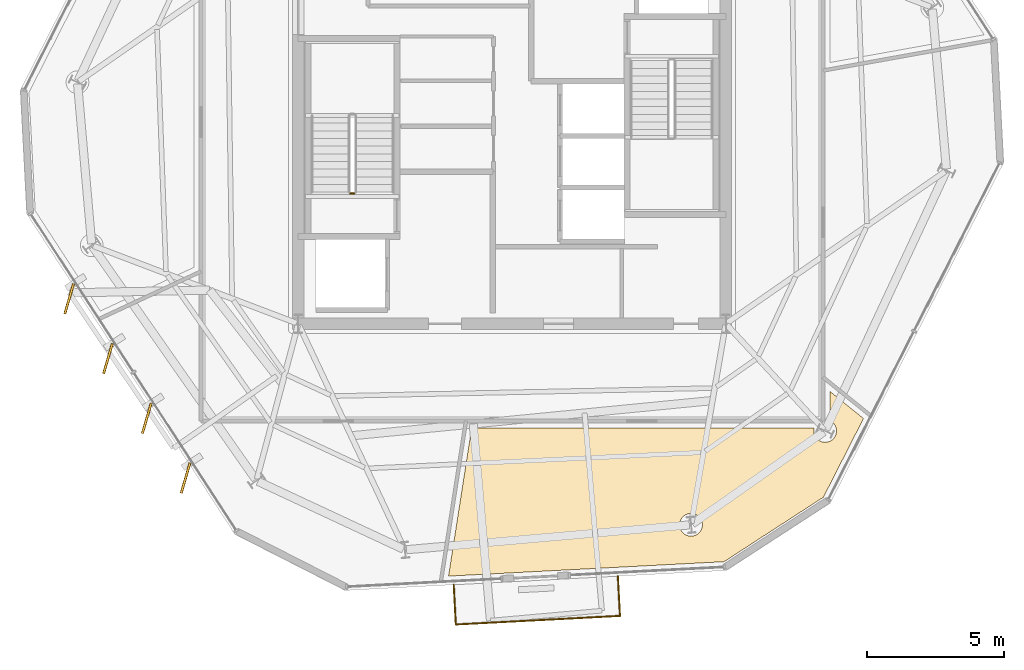
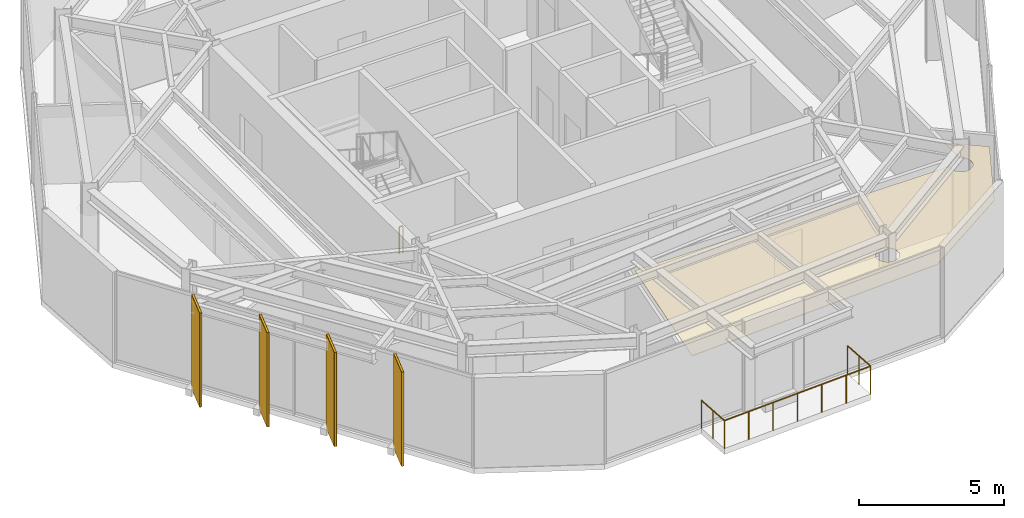
# One storey, part 8 of 11: 5 coverings, 4 shading devices, 2 railings.
"""IFC4 building model written with IfcOpenShell, lengths in metres."""

import ifcopenshell
import ifcopenshell.guid

model = None  # the IFC model being written
_history = None  # IfcOwnerHistory: only IFC2X3 demands one
_inside = {}  # id of a spatial element -> (the spatial element, [elements in it])
_under = {}  # id of a project, library or spatial element -> (it, [spatial elements below it])
_declared = {}  # id of a project -> (the project, [libraries it declares])
_typed = {}  # id of a type object -> (the type object, [elements of that type])
_made_of = {}  # id of a material, layer set ... -> (it, [elements and type objects made of it])


def new_model(schema):
    """Start an empty IFC model of exactly this schema.

    Asked for "IFC4X3", IfcOpenShell would pick the latest addendum, in which some entities
    have other attributes; the version numbers below select the first issue.
    IFC2X3 requires an IfcOwnerHistory on every rooted entity: one is made here for all.
    """
    global model, _history
    if schema == "IFC4X3":
        model = ifcopenshell.file(schema_version=(4, 3, 0, 0))
    else:
        model = ifcopenshell.file(schema=schema)
    _inside.clear()
    _under.clear()
    _declared.clear()
    _typed.clear()
    _made_of.clear()
    _history = None
    if model.schema == "IFC2X3":
        org = make("IfcOrganization", Name="unknown")
        user = make(
            "IfcPersonAndOrganization",
            ThePerson=make("IfcPerson", FamilyName="unknown"),
            TheOrganization=org,
        )
        app = make(
            "IfcApplication",
            ApplicationDeveloper=org,
            Version="unknown",
            ApplicationFullName="unknown",
            ApplicationIdentifier="unknown",
        )
        _history = make(
            "IfcOwnerHistory",
            OwningUser=user,
            OwningApplication=app,
            ChangeAction="ADDED",
            CreationDate=0,
        )
    return model


def make(cls, **values):
    """One entity of the class cls with the attributes given. An attribute that is None is left unset."""
    return model.create_entity(
        cls, **{name: value for name, value in values.items() if value is not None}
    )


def rooted(cls, **values):
    """An entity with a GlobalId (a new one), such as an element, a storey or a relation."""
    return make(cls, GlobalId=ifcopenshell.guid.new(), OwnerHistory=_history, **values)


def si_unit(unit_type, name, prefix=None):
    """IfcSIUnit, for example si_unit("LENGTHUNIT", "METRE", prefix="MILLI")."""
    return make("IfcSIUnit", UnitType=unit_type, Prefix=prefix, Name=name)


def assignment(units):
    """IfcUnitAssignment: the units of a project."""
    return None if units is None else make("IfcUnitAssignment", Units=units)


def point(xyz):
    """IfcCartesianPoint."""
    return None if xyz is None else make("IfcCartesianPoint", Coordinates=xyz)


def direction(xyz):
    """IfcDirection."""
    return None if xyz is None else make("IfcDirection", DirectionRatios=xyz)


def frame(location, z_axis=None, x_axis=None):
    """IfcAxis2Placement3D, a coordinate frame: its origin and axes. An axis left out is left unset."""
    return make(
        "IfcAxis2Placement3D",
        Location=point(location),
        Axis=direction(z_axis),
        RefDirection=direction(x_axis),
    )


def frame_2d(location, x_axis=None):
    """IfcAxis2Placement2D, a coordinate frame in the plane: its origin and x axis."""
    return make(
        "IfcAxis2Placement2D", Location=point(location), RefDirection=direction(x_axis)
    )


def origin():
    """The frame at (0, 0, 0) with its axes left unset."""
    return frame((0.0, 0.0, 0.0))


def origin_2d():
    """The frame at (0, 0) in the plane with its x axis left unset."""
    return frame_2d((0.0, 0.0))


def place(relative_to, where):
    """IfcLocalPlacement: puts the frame where relative to a parent placement (None: the world)."""
    return make(
        "IfcLocalPlacement", PlacementRelTo=relative_to, RelativePlacement=where
    )


def context(
    kind, dimensions, precision=None, world=None, true_north=None, identifier=None
):
    """IfcGeometricRepresentationContext, for example the 3D "Model" context."""
    return make(
        "IfcGeometricRepresentationContext",
        ContextIdentifier=identifier,
        ContextType=kind,
        CoordinateSpaceDimension=dimensions,
        Precision=precision,
        WorldCoordinateSystem=world,
        TrueNorth=true_north,
    )


def subcontext(parent, identifier, kind, view, scale=None):
    """IfcGeometricRepresentationSubContext, for example "Body" below "Model"."""
    return make(
        "IfcGeometricRepresentationSubContext",
        ContextIdentifier=identifier,
        ContextType=kind,
        ParentContext=parent,
        TargetScale=scale,
        TargetView=view,
    )


def project(units=None, contexts=None):
    """IfcProject with its units and contexts."""
    return rooted(
        "IfcProject",
        Name="project",
        RepresentationContexts=contexts,
        UnitsInContext=assignment(units),
    )


def spatial(cls, under=None, at=None, **own):
    """A site, building, storey or space (cls), placed at a placement, below another one or the project."""
    s = rooted(cls, ObjectPlacement=at, **own)
    if under is not None:
        _under.setdefault(under.id(), (under, []))[1].append(s)
    return s


def polyline(points):
    """IfcPolyline through the points."""
    return make("IfcPolyline", Points=[point(p) for p in points])


def profile(cls, at=None, kind="AREA", **sizes):
    """A parametric profile (cls). Its sizes go by their IFC names, for example OverallWidth=200.0."""
    return make(cls, ProfileType=kind, Position=at, **sizes)


def rectangle(**sizes):
    """IfcRectangleProfileDef."""
    return profile("IfcRectangleProfileDef", **sizes)


def circle(**sizes):
    """IfcCircleProfileDef."""
    return profile("IfcCircleProfileDef", **sizes)


def outline(outer, holes=None, kind="AREA"):
    """IfcArbitraryClosedProfileDef: a profile drawn as a closed curve; with holes, ...WithVoids."""
    if holes is None:
        return make("IfcArbitraryClosedProfileDef", ProfileType=kind, OuterCurve=outer)
    return make(
        "IfcArbitraryProfileDefWithVoids",
        ProfileType=kind,
        OuterCurve=outer,
        InnerCurves=holes,
    )


def extrude(swept, where, along, depth):
    """IfcExtrudedAreaSolid: the profile swept, set in the frame where, extruded along a direction by depth."""
    return make(
        "IfcExtrudedAreaSolid",
        SweptArea=swept,
        Position=where,
        ExtrudedDirection=direction(along),
        Depth=depth,
    )


def shape(context_of_items, identifier, shape_type, items):
    """IfcShapeRepresentation: the items that make up one representation, for example the "Body"."""
    return make(
        "IfcShapeRepresentation",
        ContextOfItems=context_of_items,
        RepresentationIdentifier=identifier,
        RepresentationType=shape_type,
        Items=items,
    )


def material(Name=None, Category=None):
    """IfcMaterial."""
    return make("IfcMaterial", Name=Name, Category=Category)


def layer(
    of_material, thickness, ventilated=None, Name=None, Category=None, Priority=None
):
    """IfcMaterialLayer: one layer of a wall or slab, of a material (None: an air gap)."""
    return make(
        "IfcMaterialLayer",
        Material=of_material,
        LayerThickness=thickness,
        IsVentilated=ventilated,
        Name=Name,
        Category=Category,
        Priority=Priority,
    )


def layer_set(layers, Name=None):
    """IfcMaterialLayerSet."""
    return make("IfcMaterialLayerSet", MaterialLayers=layers, LayerSetName=Name)


def made_of(thing, what):
    """Note that an element or type object is made of a material, layer set ...; save() writes the relation."""
    if what is not None:
        _made_of.setdefault(what.id(), (what, []))[1].append(thing)
    return thing


def type_object(cls, material=None, **own):
    """A type object (cls), such as IfcWallType, which elements share."""
    return made_of(rooted(cls, **own), material)


def element(
    cls,
    number,
    at=None,
    inside=None,
    cuts=None,
    type_object=None,
    material=None,
    context=None,
    identifier="Body",
    shape_type=None,
    held_by="IfcProductDefinitionShape",
    body=None,
    shapes=None,
    **own,
):
    """One element of the class cls, such as IfcWall. Its Tag is "e" and its number.

    at: its placement. inside: the storey or other place that contains it. cuts: it is an
    opening in that element (IfcRelVoidsElement). A single representation is given by context,
    identifier, shape_type and body (its items); several are given by shapes. held_by: the class
    of the entity that holds the representations. save() writes the other relations.
    """
    e = rooted(cls, Tag="e%d" % number, ObjectPlacement=at, **own)
    if body is not None:
        shapes = [shape(context, identifier, shape_type, body)]
    if shapes is not None:
        e.Representation = make(held_by, Representations=shapes)
    if inside is not None:
        _inside.setdefault(inside.id(), (inside, []))[1].append(e)
    if cuts is not None:
        rooted(
            "IfcRelVoidsElement", RelatingBuildingElement=cuts, RelatedOpeningElement=e
        )
    if type_object is not None:
        _typed.setdefault(type_object.id(), (type_object, []))[1].append(e)
    return made_of(e, material)


def aggregate(whole, parts):
    """IfcRelAggregates: a whole, such as a stair, and the parts it consists of."""
    return rooted("IfcRelAggregates", RelatingObject=whole, RelatedObjects=parts)


def save(model, path):
    """Write the relations noted so far, then the file.

    IfcRelAggregates (storeys below a building ...), IfcRelContainedInSpatialStructure (elements
    in a storey), IfcRelDefinesByType, IfcRelAssociatesMaterial and IfcRelDeclares: one each for
    every whole, place, type object, material and project.
    """
    for whole, parts in _under.values():
        aggregate(whole, parts)
    for where, things in _inside.values():
        rooted(
            "IfcRelContainedInSpatialStructure",
            RelatedElements=things,
            RelatingStructure=where,
        )
    for kind, things in _typed.values():
        rooted("IfcRelDefinesByType", RelatedObjects=things, RelatingType=kind)
    for what, things in _made_of.values():
        rooted("IfcRelAssociatesMaterial", RelatedObjects=things, RelatingMaterial=what)
    for by, libraries in _declared.values():
        rooted("IfcRelDeclares", RelatingContext=by, RelatedDefinitions=libraries)
    model.write(path)


model = new_model("IFC4")

# Units and contexts
model_context = context("Model", 3, precision=1e-05, world=origin(), true_north=direction((0.0, 1.0)))
body_context = subcontext(model_context, "Body", "Model", "MODEL_VIEW")
ifc_project = project(units=[si_unit("LENGTHUNIT", "METRE"), si_unit("AREAUNIT", "SQUARE_METRE"), si_unit("VOLUMEUNIT", "CUBIC_METRE"), si_unit("PLANEANGLEUNIT", "RADIAN"), si_unit("MASSUNIT", "GRAM", prefix="KILO")], contexts=[model_context])

# Site, building, storey
site_placement = place(None, origin())
site = spatial("IfcSite", under=ifc_project, at=site_placement, CompositionType="ELEMENT")
building_placement = place(site_placement, origin())
building = spatial("IfcBuilding", under=site, at=building_placement, Name="Kranzbogen Civic Tower", CompositionType="ELEMENT")
storey_placement = place(building_placement, frame((0.0, 0.0, 278.199951171875)))
storey = spatial("IfcBuildingStorey", under=building, at=storey_placement, Name="L67", CompositionType="ELEMENT", Elevation=278.199951171875)

# Coverings
ifc_material_1 = material(Name="Pale Anodised Aluminium", Category="aluminium")
ifc_layer_1 = layer(ifc_material_1, 0.02490234375, Name="Pale Anodised Aluminium")
ifc_layer_set_1 = layer_set([ifc_layer_1], Name="Pale Anodised Aluminium")
covering_type_1 = type_object("IfcCoveringType", Name="Anodised Aluminium Vertical Fin Cladding 25 mm", PredefinedType="CLADDING", material=ifc_layer_set_1)
for number, where, z_axis, x_axis, name in (
    (1, (8.842041015625, 18.708984375, -0.139892578125), (0.0, 0.0, 1.0), (-0.279544149192, -0.960132839066, 0.0), "L67 vertical fin pale-metal cladding F3-1"),
    (2, (10.258056640625, 16.529052734375, -0.139892578125), (0.0, 0.0, 1.0), (-0.279544149192, -0.960132839066, 0.0), "L67 vertical fin pale-metal cladding F3-2"),
    (3, (11.674072265625, 14.347900390625, -0.139892578125), (0.0, 0.0, 1.0), (-0.279544149192, -0.960132839066, 0.0), "L67 vertical fin pale-metal cladding F3-3"),
    (4, (13.090087890625, 12.16796875, -0.139892578125), (0.0, 0.0, 1.0), (-0.279544149192, -0.960132839066, 0.0), "L67 vertical fin pale-metal cladding F3-4"),
):
    element("IfcCovering", number, at=place(storey_placement, frame(where, z_axis=z_axis, x_axis=x_axis)), inside=storey, type_object=covering_type_1, Name=name, PredefinedType="CLADDING", context=body_context, shape_type="SweptSolid", body=[
        extrude(rectangle(XDim=1.14990234375, YDim=0.094970703125, at=origin_2d()), origin(), (0.0, 0.0, 1.0), 3.9599609375),
    ])

# Railings
ifc_material_2 = material(Name="Anodised Bronze Aluminium", Category="aluminium")
railing_type_1 = type_object("IfcRailingType", Name="Cantilevered Balcony Glass and Bronze Balustrade 1200", PredefinedType="BALUSTRADE", material=ifc_material_2)
railing_1_placement = place(storey_placement, frame((22.8720703125, 8.27392578125, 0.0)))
element("IfcRailing", 5, at=railing_1_placement, inside=storey, type_object=railing_type_1, Name="L67 exterior terrace balustrade L67-TB2", PredefinedType="BALUSTRADE", context=body_context, shape_type="SweptSolid", body=[
    extrude(circle(Radius=0.02392578125, at=origin_2d()), frame((0.0, 0.0, 1.17578125), z_axis=(0.05236441096, -0.9986280431, 0.0), x_axis=(0.9986280431, 0.05236441096, 0.0)), (0.0, 0.0, 1.0), 1.449951171875),
    extrude(circle(Radius=0.02392578125, at=origin_2d()), frame((0.075927734375, -1.447998046875, 1.17578125), z_axis=(0.998630053861, 0.052326050168, 0.0), x_axis=(-0.052326050168, 0.998630053861, 0.0)), (0.0, 0.0, 1.0), 6.000244140625),
    extrude(circle(Radius=0.02392578125, at=origin_2d()), frame((6.06787109375, -1.134033203125, 1.17578125), z_axis=(-0.05236441096, 0.9986280431, 0.0), x_axis=(-0.9986280431, -0.05236441096, 0.0)), (0.0, 0.0, 1.0), 1.449951171875),
    extrude(circle(Radius=0.02099609375, at=origin_2d()), origin(), (0.0, 0.0, 1.0), 1.15185546875),
    extrude(circle(Radius=0.02099609375, at=origin_2d()), frame((0.0380859375, -0.72412109375, 0.0)), (0.0, 0.0, 1.0), 1.15185546875),
    extrude(circle(Radius=0.02099609375, at=origin_2d()), frame((0.075927734375, -1.447998046875, 0.0)), (0.0, 0.0, 1.0), 1.15185546875),
    extrude(circle(Radius=0.02099609375, at=origin_2d()), frame((1.07470703125, -1.395751953125, 0.0)), (0.0, 0.0, 1.0), 1.15185546875),
    extrude(circle(Radius=0.02099609375, at=origin_2d()), frame((2.0732421875, -1.34326171875, 0.0)), (0.0, 0.0, 1.0), 1.15185546875),
    extrude(circle(Radius=0.02099609375, at=origin_2d()), frame((3.07177734375, -1.291015625, 0.0)), (0.0, 0.0, 1.0), 1.15185546875),
    extrude(circle(Radius=0.02099609375, at=origin_2d()), frame((4.070556640625, -1.23876953125, 0.0)), (0.0, 0.0, 1.0), 1.15185546875),
    extrude(circle(Radius=0.02099609375, at=origin_2d()), frame((5.0693359375, -1.186279296875, 0.0)), (0.0, 0.0, 1.0), 1.15185546875),
    extrude(circle(Radius=0.02099609375, at=origin_2d()), frame((6.06787109375, -1.134033203125, 0.0)), (0.0, 0.0, 1.0), 1.15185546875),
    extrude(circle(Radius=0.02099609375, at=origin_2d()), frame((6.02978515625, -0.41015625, 0.0)), (0.0, 0.0, 1.0), 1.15185546875),
    extrude(circle(Radius=0.02099609375, at=origin_2d()), frame((5.991943359375, 0.31396484375, 0.0)), (0.0, 0.0, 1.0), 1.15185546875),
])
ifc_material_3 = material(Name="Steel S355", Category="steel")
railing_type_2 = type_object("IfcRailingType", Name="Internal Stair and Void Steel Guardrail 1150", PredefinedType="GUARDRAIL", material=ifc_material_3)
railing_2_placement = place(storey_placement, frame((19.25, 22.550048828125, 0.0)))
element("IfcRailing", 6, at=railing_2_placement, inside=storey, type_object=railing_type_2, Name="L67 ST-T1 stair guard 4", PredefinedType="GUARDRAIL", context=body_context, shape_type="SweptSolid", body=[
    extrude(circle(Radius=0.02392578125, at=origin_2d()), frame((0.0, 0.0, 1.1259765625), z_axis=(-1.0, 0.0, 0.0), x_axis=(0.0, -1.0, 0.0)), (0.0, 0.0, 1.0), 0.14990234375),
    extrude(circle(Radius=0.02099609375, at=origin_2d()), origin(), (0.0, 0.0, 1.0), 1.101806640625),
    extrude(circle(Radius=0.02099609375, at=origin_2d()), frame((-0.14990234375, 0.0, 0.0)), (0.0, 0.0, 1.0), 1.101806640625),
])

# Shading devices
shading_device_type = type_object("IfcShadingDeviceType", Name="Pale Anodised Aluminium Crown Fin 1150x75", PredefinedType="USERDEFINED", material=ifc_material_1)
for number, where, z_axis, x_axis, name in (
    (7, (8.842041015625, 18.708984375, -0.139892578125), (0.0, 0.0, 1.0), (-0.279544149192, -0.960132839066, 0.0), "L67 vertical exterior shading fin F3-1"),
    (8, (10.258056640625, 16.529052734375, -0.139892578125), (0.0, 0.0, 1.0), (-0.279544149192, -0.960132839066, 0.0), "L67 vertical exterior shading fin F3-2"),
    (9, (11.674072265625, 14.347900390625, -0.139892578125), (0.0, 0.0, 1.0), (-0.279544149192, -0.960132839066, 0.0), "L67 vertical exterior shading fin F3-3"),
    (10, (13.090087890625, 12.16796875, -0.139892578125), (0.0, 0.0, 1.0), (-0.279544149192, -0.960132839066, 0.0), "L67 vertical exterior shading fin F3-4"),
):
    element("IfcShadingDevice", number, at=place(storey_placement, frame(where, z_axis=z_axis, x_axis=x_axis)), inside=storey, type_object=shading_device_type, Name=name, ObjectType="FIN", PredefinedType="USERDEFINED", context=body_context, shape_type="SweptSolid", body=[
        extrude(rectangle(XDim=1.14990234375, YDim=0.074951171875, at=origin_2d()), origin(), (0.0, 0.0, 1.0), 3.9599609375),
    ])

# Covering
ifc_material_4 = material(Name="Perforated Acoustic Gypsum Ceiling")
ifc_layer_2 = layer(ifc_material_4, 0.02490234375, Name="Perforated Acoustic Gypsum Ceiling")
ifc_layer_set_2 = layer_set([ifc_layer_2], Name="Perforated Acoustic Gypsum Ceiling")
covering_type_2 = type_object("IfcCoveringType", Name="Perforated Acoustic Mineral Ceiling Tile 25 mm", PredefinedType="CEILING", material=ifc_layer_set_2)
covering_placement = place(storey_placement, frame((0.0, 0.0, 2.900146484375)))
element("IfcCovering", 11, at=covering_placement, inside=storey, type_object=covering_type_2, Name="L67 Licensing Information Kiosk acoustic ceiling", PredefinedType="CEILING", context=body_context, shape_type="SweptSolid", body=[
    extrude(outline(polyline([(32.736083984375, 9.116943359375), (22.68408203125, 8.590087890625), (23.530029296875, 14.0048828125), (36.02587890625, 14.0048828125), (36.01806640625, 13.970947265625), (36.011962890625, 13.930908203125), (36.010009765625, 13.889892578125), (36.011962890625, 13.84912109375), (36.01806640625, 13.80908203125), (36.027099609375, 13.76904296875), (36.041015625, 13.73095703125), (36.05908203125, 13.694091796875), (36.080078125, 13.658935546875), (36.10400390625, 13.6259765625), (36.131103515625, 13.595947265625), (36.160888671875, 13.569091796875), (36.194091796875, 13.544921875), (36.22900390625, 13.52392578125), (36.26611328125, 13.506103515625), (36.303955078125, 13.491943359375), (36.343994140625, 13.48291015625), (36.384033203125, 13.47705078125), (36.425048828125, 13.47509765625), (36.466064453125, 13.47705078125), (36.506103515625, 13.48291015625), (36.5458984375, 13.491943359375), (36.583984375, 13.506103515625), (36.62109375, 13.52392578125), (36.656005859375, 13.544921875), (36.68896484375, 13.569091796875), (36.718994140625, 13.595947265625), (36.74609375, 13.6259765625), (36.77001953125, 13.658935546875), (36.791015625, 13.694091796875), (36.80908203125, 13.73095703125), (36.822998046875, 13.76904296875), (36.83203125, 13.80908203125), (36.837890625, 13.84912109375), (36.840087890625, 13.889892578125), (36.837890625, 13.930908203125), (36.83203125, 13.970947265625), (36.822998046875, 14.010986328125), (36.80908203125, 14.049072265625), (36.791015625, 14.0859375), (36.77001953125, 14.12109375), (36.74609375, 14.154052734375), (36.718994140625, 14.18408203125), (36.68896484375, 14.2109375), (36.656005859375, 14.235107421875), (36.62109375, 14.256103515625), (36.594970703125, 14.26904296875), (36.594970703125, 15.3359375), (37.825927734375, 14.343017578125), (36.364013671875, 11.471923828125), (32.736083984375, 9.116943359375)]), holes=[polyline([(31.9169921875, 10.304931640625), (31.89892578125, 10.26806640625), (31.8779296875, 10.23291015625), (31.85400390625, 10.199951171875), (31.826904296875, 10.169921875), (31.797119140625, 10.14306640625), (31.763916015625, 10.118896484375), (31.72900390625, 10.097900390625), (31.69189453125, 10.080078125), (31.654052734375, 10.06591796875), (31.614013671875, 10.056884765625), (31.573974609375, 10.051025390625), (31.532958984375, 10.049072265625), (31.491943359375, 10.051025390625), (31.451904296875, 10.056884765625), (31.412109375, 10.06591796875), (31.3740234375, 10.080078125), (31.3369140625, 10.097900390625), (31.302001953125, 10.118896484375), (31.26904296875, 10.14306640625), (31.239013671875, 10.169921875), (31.2119140625, 10.199951171875), (31.18798828125, 10.23291015625), (31.1669921875, 10.26806640625), (31.14892578125, 10.304931640625), (31.135009765625, 10.343017578125), (31.1259765625, 10.383056640625), (31.1201171875, 10.423095703125), (31.117919921875, 10.464111328125), (31.1201171875, 10.5048828125), (31.1259765625, 10.544921875), (31.135009765625, 10.5849609375), (31.14892578125, 10.623046875), (31.1669921875, 10.659912109375), (31.18798828125, 10.695068359375), (31.2119140625, 10.72802734375), (31.239013671875, 10.758056640625), (31.26904296875, 10.784912109375), (31.302001953125, 10.80908203125), (31.3369140625, 10.830078125), (31.3740234375, 10.847900390625), (31.412109375, 10.862060546875), (31.451904296875, 10.87109375), (31.491943359375, 10.876953125), (31.532958984375, 10.87890625), (31.573974609375, 10.876953125), (31.614013671875, 10.87109375), (31.654052734375, 10.862060546875), (31.69189453125, 10.847900390625), (31.72900390625, 10.830078125), (31.763916015625, 10.80908203125), (31.797119140625, 10.784912109375), (31.826904296875, 10.758056640625), (31.85400390625, 10.72802734375), (31.8779296875, 10.695068359375), (31.89892578125, 10.659912109375), (31.9169921875, 10.623046875), (31.930908203125, 10.5849609375), (31.93994140625, 10.544921875), (31.946044921875, 10.5048828125), (31.947998046875, 10.464111328125), (31.946044921875, 10.423095703125), (31.93994140625, 10.383056640625), (31.930908203125, 10.343017578125), (31.9169921875, 10.304931640625)])]), origin(), (0.0, 0.0, 1.0), 0.02490234375),
])

save(model, "model.ifc")
